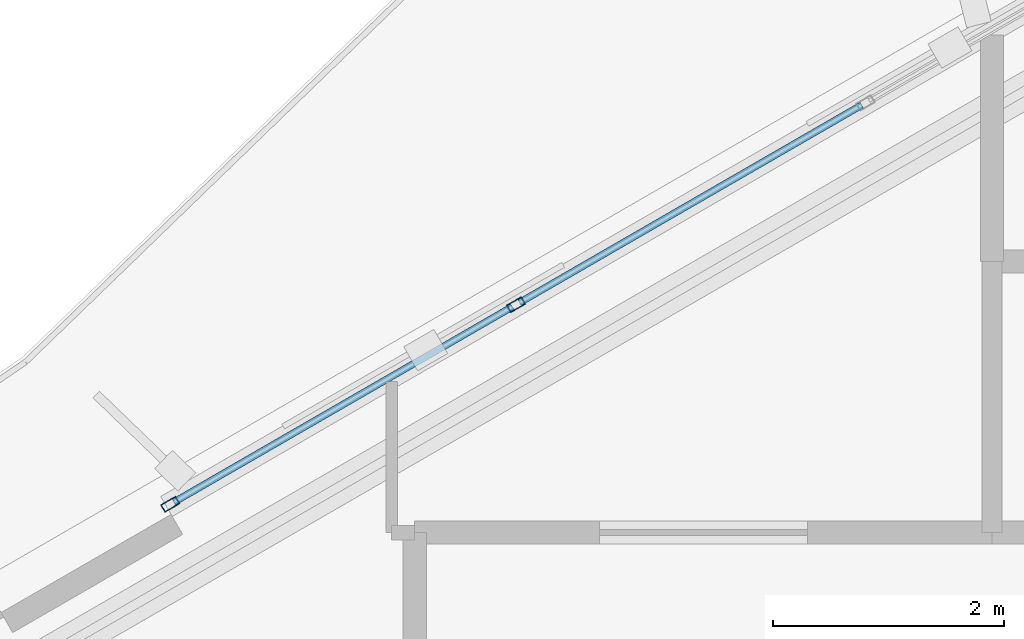
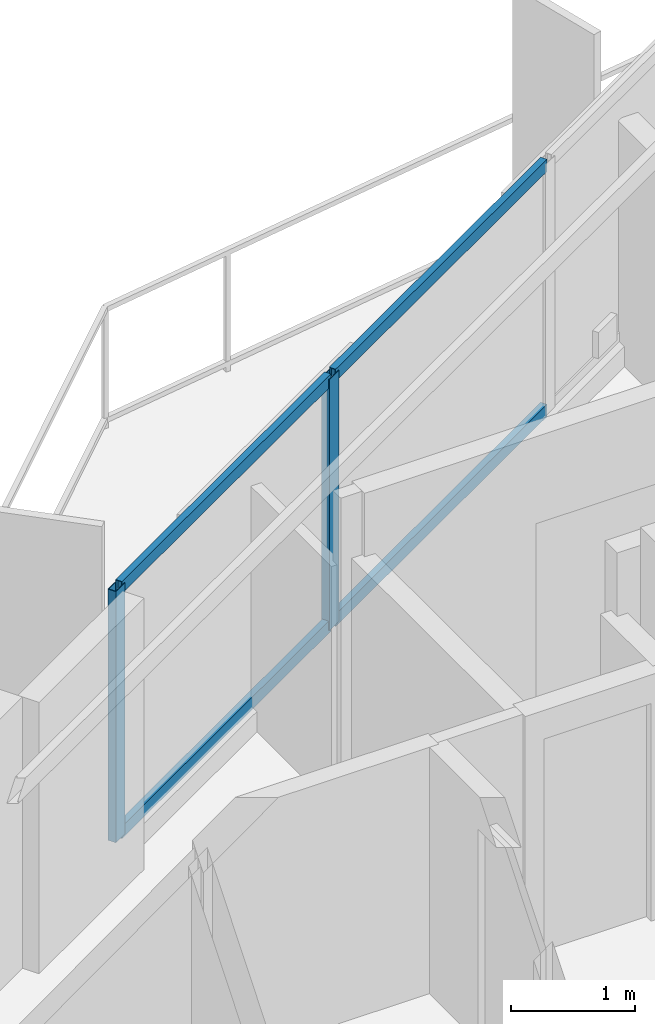
# One storey, part 5 of 19: 6 members, 1 element without a shape of its own.
"""IFC4 building model written with IfcOpenShell, lengths in metres."""

import ifcopenshell
import ifcopenshell.guid

model = None  # the IFC model being written
_history = None  # IfcOwnerHistory: only IFC2X3 demands one
_inside = {}  # id of a spatial element -> (the spatial element, [elements in it])
_under = {}  # id of a project, library or spatial element -> (it, [spatial elements below it])
_declared = {}  # id of a project -> (the project, [libraries it declares])
_typed = {}  # id of a type object -> (the type object, [elements of that type])
_made_of = {}  # id of a material, layer set ... -> (it, [elements and type objects made of it])


def new_model(schema):
    """Start an empty IFC model of exactly this schema.

    Asked for "IFC4X3", IfcOpenShell would pick the latest addendum, in which some entities
    have other attributes; the version numbers below select the first issue.
    IFC2X3 requires an IfcOwnerHistory on every rooted entity: one is made here for all.
    """
    global model, _history
    if schema == "IFC4X3":
        model = ifcopenshell.file(schema_version=(4, 3, 0, 0))
    else:
        model = ifcopenshell.file(schema=schema)
    _inside.clear()
    _under.clear()
    _declared.clear()
    _typed.clear()
    _made_of.clear()
    _history = None
    if model.schema == "IFC2X3":
        org = make("IfcOrganization", Name="unknown")
        user = make(
            "IfcPersonAndOrganization",
            ThePerson=make("IfcPerson", FamilyName="unknown"),
            TheOrganization=org,
        )
        app = make(
            "IfcApplication",
            ApplicationDeveloper=org,
            Version="unknown",
            ApplicationFullName="unknown",
            ApplicationIdentifier="unknown",
        )
        _history = make(
            "IfcOwnerHistory",
            OwningUser=user,
            OwningApplication=app,
            ChangeAction="ADDED",
            CreationDate=0,
        )
    return model


def make(cls, **values):
    """One entity of the class cls with the attributes given. An attribute that is None is left unset."""
    return model.create_entity(
        cls, **{name: value for name, value in values.items() if value is not None}
    )


def rooted(cls, **values):
    """An entity with a GlobalId (a new one), such as an element, a storey or a relation."""
    return make(cls, GlobalId=ifcopenshell.guid.new(), OwnerHistory=_history, **values)


def si_unit(unit_type, name, prefix=None):
    """IfcSIUnit, for example si_unit("LENGTHUNIT", "METRE", prefix="MILLI")."""
    return make("IfcSIUnit", UnitType=unit_type, Prefix=prefix, Name=name)


def assignment(units):
    """IfcUnitAssignment: the units of a project."""
    return None if units is None else make("IfcUnitAssignment", Units=units)


def point(xyz):
    """IfcCartesianPoint."""
    return None if xyz is None else make("IfcCartesianPoint", Coordinates=xyz)


def direction(xyz):
    """IfcDirection."""
    return None if xyz is None else make("IfcDirection", DirectionRatios=xyz)


def frame(location, z_axis=None, x_axis=None):
    """IfcAxis2Placement3D, a coordinate frame: its origin and axes. An axis left out is left unset."""
    return make(
        "IfcAxis2Placement3D",
        Location=point(location),
        Axis=direction(z_axis),
        RefDirection=direction(x_axis),
    )


def frame_2d(location, x_axis=None):
    """IfcAxis2Placement2D, a coordinate frame in the plane: its origin and x axis."""
    return make(
        "IfcAxis2Placement2D", Location=point(location), RefDirection=direction(x_axis)
    )


def origin():
    """The frame at (0, 0, 0) with its axes left unset."""
    return frame((0.0, 0.0, 0.0))


def origin_2d():
    """The frame at (0, 0) in the plane with its x axis left unset."""
    return frame_2d((0.0, 0.0))


def place(relative_to, where):
    """IfcLocalPlacement: puts the frame where relative to a parent placement (None: the world)."""
    return make(
        "IfcLocalPlacement", PlacementRelTo=relative_to, RelativePlacement=where
    )


def context(
    kind, dimensions, precision=None, world=None, true_north=None, identifier=None
):
    """IfcGeometricRepresentationContext, for example the 3D "Model" context."""
    return make(
        "IfcGeometricRepresentationContext",
        ContextIdentifier=identifier,
        ContextType=kind,
        CoordinateSpaceDimension=dimensions,
        Precision=precision,
        WorldCoordinateSystem=world,
        TrueNorth=true_north,
    )


def subcontext(parent, identifier, kind, view, scale=None):
    """IfcGeometricRepresentationSubContext, for example "Body" below "Model"."""
    return make(
        "IfcGeometricRepresentationSubContext",
        ContextIdentifier=identifier,
        ContextType=kind,
        ParentContext=parent,
        TargetScale=scale,
        TargetView=view,
    )


def project(units=None, contexts=None):
    """IfcProject with its units and contexts."""
    return rooted(
        "IfcProject",
        Name="project",
        RepresentationContexts=contexts,
        UnitsInContext=assignment(units),
    )


def spatial(cls, under=None, at=None, **own):
    """A site, building, storey or space (cls), placed at a placement, below another one or the project."""
    s = rooted(cls, ObjectPlacement=at, **own)
    if under is not None:
        _under.setdefault(under.id(), (under, []))[1].append(s)
    return s


def profile(cls, at=None, kind="AREA", **sizes):
    """A parametric profile (cls). Its sizes go by their IFC names, for example OverallWidth=200.0."""
    return make(cls, ProfileType=kind, Position=at, **sizes)


def hollow_rectangle(**sizes):
    """IfcRectangleHollowProfileDef."""
    return profile("IfcRectangleHollowProfileDef", **sizes)


def extrude(swept, where, along, depth):
    """IfcExtrudedAreaSolid: the profile swept, set in the frame where, extruded along a direction by depth."""
    return make(
        "IfcExtrudedAreaSolid",
        SweptArea=swept,
        Position=where,
        ExtrudedDirection=direction(along),
        Depth=depth,
    )


def shape(context_of_items, identifier, shape_type, items):
    """IfcShapeRepresentation: the items that make up one representation, for example the "Body"."""
    return make(
        "IfcShapeRepresentation",
        ContextOfItems=context_of_items,
        RepresentationIdentifier=identifier,
        RepresentationType=shape_type,
        Items=items,
    )


def material(Name=None, Category=None):
    """IfcMaterial."""
    return make("IfcMaterial", Name=Name, Category=Category)


def layer(
    of_material, thickness, ventilated=None, Name=None, Category=None, Priority=None
):
    """IfcMaterialLayer: one layer of a wall or slab, of a material (None: an air gap)."""
    return make(
        "IfcMaterialLayer",
        Material=of_material,
        LayerThickness=thickness,
        IsVentilated=ventilated,
        Name=Name,
        Category=Category,
        Priority=Priority,
    )


def layer_set(layers, Name=None):
    """IfcMaterialLayerSet."""
    return make("IfcMaterialLayerSet", MaterialLayers=layers, LayerSetName=Name)


def material_profile(
    of_material, cross_section, Name=None, Category=None, Priority=None
):
    """IfcMaterialProfile: a cross section and its material."""
    return make(
        "IfcMaterialProfile",
        Name=Name,
        Material=of_material,
        Profile=cross_section,
        Priority=Priority,
        Category=Category,
    )


def profile_set(profiles, Name=None, composite=None):
    """IfcMaterialProfileSet."""
    return make(
        "IfcMaterialProfileSet",
        Name=Name,
        MaterialProfiles=profiles,
        CompositeProfile=composite,
    )


def made_of(thing, what):
    """Note that an element or type object is made of a material, layer set ...; save() writes the relation."""
    if what is not None:
        _made_of.setdefault(what.id(), (what, []))[1].append(thing)
    return thing


def type_object(cls, material=None, **own):
    """A type object (cls), such as IfcWallType, which elements share."""
    return made_of(rooted(cls, **own), material)


def element(
    cls,
    number,
    at=None,
    inside=None,
    cuts=None,
    type_object=None,
    material=None,
    context=None,
    identifier="Body",
    shape_type=None,
    held_by="IfcProductDefinitionShape",
    body=None,
    shapes=None,
    **own,
):
    """One element of the class cls, such as IfcWall. Its Tag is "e" and its number.

    at: its placement. inside: the storey or other place that contains it. cuts: it is an
    opening in that element (IfcRelVoidsElement). A single representation is given by context,
    identifier, shape_type and body (its items); several are given by shapes. held_by: the class
    of the entity that holds the representations. save() writes the other relations.
    """
    e = rooted(cls, Tag="e%d" % number, ObjectPlacement=at, **own)
    if body is not None:
        shapes = [shape(context, identifier, shape_type, body)]
    if shapes is not None:
        e.Representation = make(held_by, Representations=shapes)
    if inside is not None:
        _inside.setdefault(inside.id(), (inside, []))[1].append(e)
    if cuts is not None:
        rooted(
            "IfcRelVoidsElement", RelatingBuildingElement=cuts, RelatedOpeningElement=e
        )
    if type_object is not None:
        _typed.setdefault(type_object.id(), (type_object, []))[1].append(e)
    return made_of(e, material)


def aggregate(whole, parts):
    """IfcRelAggregates: a whole, such as a stair, and the parts it consists of."""
    return rooted("IfcRelAggregates", RelatingObject=whole, RelatedObjects=parts)


def save(model, path):
    """Write the relations noted so far, then the file.

    IfcRelAggregates (storeys below a building ...), IfcRelContainedInSpatialStructure (elements
    in a storey), IfcRelDefinesByType, IfcRelAssociatesMaterial and IfcRelDeclares: one each for
    every whole, place, type object, material and project.
    """
    for whole, parts in _under.values():
        aggregate(whole, parts)
    for where, things in _inside.values():
        rooted(
            "IfcRelContainedInSpatialStructure",
            RelatedElements=things,
            RelatingStructure=where,
        )
    for kind, things in _typed.values():
        rooted("IfcRelDefinesByType", RelatedObjects=things, RelatingType=kind)
    for what, things in _made_of.values():
        rooted("IfcRelAssociatesMaterial", RelatedObjects=things, RelatingMaterial=what)
    for by, libraries in _declared.values():
        rooted("IfcRelDeclares", RelatingContext=by, RelatedDefinitions=libraries)
    model.write(path)


model = new_model("IFC4")

# Units and contexts
model_context = context("Model", 3, precision=1e-05, world=origin(), true_north=direction((0.0, 1.0)))
body_context = subcontext(model_context, "Body", "Model", "MODEL_VIEW")
ifc_project = project(units=[si_unit("LENGTHUNIT", "METRE"), si_unit("AREAUNIT", "SQUARE_METRE"), si_unit("VOLUMEUNIT", "CUBIC_METRE"), si_unit("PLANEANGLEUNIT", "RADIAN"), si_unit("MASSUNIT", "GRAM", prefix="KILO")], contexts=[model_context])

# Site, building, storey
site_placement = place(None, origin())
site = spatial("IfcSite", under=ifc_project, at=site_placement, CompositionType="ELEMENT")
building_placement = place(site_placement, origin())
building = spatial("IfcBuilding", under=site, at=building_placement, Name="Mersakhor Tower and Convention Hall", CompositionType="ELEMENT")
storey_placement = place(building_placement, frame((0.0, 0.0, 124.5)))
storey = spatial("IfcBuildingStorey", under=building, at=storey_placement, Name="L34", CompositionType="ELEMENT", Elevation=124.5)

# Curtain wall, members
ifc_material_1 = material(Name="Dark solar low-E aluminium curtain wall", Category="aluminium")
ifc_layer = layer(ifc_material_1, 0.169921875)
ifc_layer_set = layer_set([ifc_layer], Name="Dark solar low-E aluminium curtain wall")
curtain_wall_type = type_object("IfcCurtainWallType", Name="CW-SYS-02", PredefinedType="USERDEFINED", material=ifc_layer_set)
curtain_wall_placement = place(storey_placement, origin())
curtain_wall = element("IfcCurtainWall", 1, at=curtain_wall_placement, inside=storey, type_object=curtain_wall_type, Name="L34 Dark-Glass Curtain Wall F1-B2", ObjectType="CURTAIN WALL", PredefinedType="USERDEFINED")
ifc_material_2 = material(Name="Anodised aluminium EN AW-6063 T6", Category="aluminium")
ifc_material_profile_1 = material_profile(ifc_material_2, hollow_rectangle(XDim=0.074951171875, YDim=0.14990234375, WallThickness=0.00634765625, at=origin_2d()), Name="RHS 150x75x6.3")
ifc_profile_set_1 = profile_set([ifc_material_profile_1], Name="Anodised aluminium EN AW-6063 T6")
member_type_1 = type_object("IfcMemberType", Name="CWM-150x75", PredefinedType="MULLION", material=ifc_profile_set_1)
member_1_placement = place(storey_placement, frame((17.88232421875, 35.595458984375, 0.199951171875), z_axis=(0.0, 0.0, 1.0), x_axis=(-0.499990468363, 0.866030906807, 0.0)))
member_1 = element("IfcMember", 2, at=member_1_placement, type_object=member_type_1, Name="CW-02 mullion 1", PredefinedType="MULLION", context=body_context, shape_type="SweptSolid", body=[
    extrude(hollow_rectangle(XDim=0.074951171875, YDim=0.14990234375, WallThickness=0.00634765625, at=origin_2d()), origin(), (0.0, 0.0, 1.0), 2.47998046875),
])
member_2_placement = place(storey_placement, frame((20.876953125, 37.32421875, 0.199951171875), z_axis=(0.0, 0.0, 1.0), x_axis=(-0.499990468363, 0.866030906807, 0.0)))
member_2 = element("IfcMember", 3, at=member_2_placement, type_object=member_type_1, Name="CW-02 mullion 2", PredefinedType="MULLION", context=body_context, shape_type="SweptSolid", body=[
    extrude(hollow_rectangle(XDim=0.074951171875, YDim=0.14990234375, WallThickness=0.00634765625, at=origin_2d()), origin(), (0.0, 0.0, 1.0), 2.47998046875),
])
ifc_material_3 = material(Name="Anodised aluminium EN AW-6063 T6", Category="aluminium")
ifc_material_profile_2 = material_profile(ifc_material_3, hollow_rectangle(XDim=0.06005859375, YDim=0.1201171875, WallThickness=0.0048828125, at=origin_2d()), Name="RHS 120x60x5")
ifc_profile_set_2 = profile_set([ifc_material_profile_2], Name="Anodised aluminium EN AW-6063 T6")
member_type_2 = type_object("IfcMemberType", Name="CWT-120x60", PredefinedType="USERDEFINED", material=ifc_profile_set_2)
member_3_placement = place(storey_placement, frame((17.914794921875, 35.6142578125, 0.22998046875), z_axis=(0.866031754707, 0.499988999718, 0.0), x_axis=(-0.499988999718, 0.866031754707, 0.0)))
member_3 = element("IfcMember", 4, at=member_3_placement, type_object=member_type_2, Name="CW-02 transom 1.1", ObjectType="TRANSOM", PredefinedType="USERDEFINED", context=body_context, shape_type="SweptSolid", body=[
    extrude(hollow_rectangle(XDim=0.06005859375, YDim=0.1201171875, WallThickness=0.0048828125, at=origin_2d()), origin(), (0.0, 0.0, 1.0), 3.3828125),
])
member_4_placement = place(storey_placement, frame((17.914794921875, 35.6142578125, 2.64990234375), z_axis=(0.866031754707, 0.499988999718, 0.0), x_axis=(-0.499988999718, 0.866031754707, 0.0)))
member_4 = element("IfcMember", 5, at=member_4_placement, type_object=member_type_2, Name="CW-02 transom 1.2", ObjectType="TRANSOM", PredefinedType="USERDEFINED", context=body_context, shape_type="SweptSolid", body=[
    extrude(hollow_rectangle(XDim=0.06005859375, YDim=0.1201171875, WallThickness=0.0048828125, at=origin_2d()), origin(), (0.0, 0.0, 1.0), 3.3828125),
])
member_5_placement = place(storey_placement, frame((20.909423828125, 37.343017578125, 0.22998046875), z_axis=(0.866007273829, 0.50003140069, 0.0), x_axis=(-0.50003140069, 0.866007273829, 0.0)))
member_5 = element("IfcMember", 6, at=member_5_placement, type_object=member_type_2, Name="CW-02 transom 2.1", ObjectType="TRANSOM", PredefinedType="USERDEFINED", context=body_context, shape_type="SweptSolid", body=[
    extrude(hollow_rectangle(XDim=0.06005859375, YDim=0.1201171875, WallThickness=0.0048828125, at=origin_2d()), origin(), (0.0, 0.0, 1.0), 3.420166015625),
])
member_6_placement = place(storey_placement, frame((20.909423828125, 37.343017578125, 2.64990234375), z_axis=(0.866007273829, 0.50003140069, 0.0), x_axis=(-0.50003140069, 0.866007273829, 0.0)))
member_6 = element("IfcMember", 7, at=member_6_placement, type_object=member_type_2, Name="CW-02 transom 2.2", ObjectType="TRANSOM", PredefinedType="USERDEFINED", context=body_context, shape_type="SweptSolid", body=[
    extrude(hollow_rectangle(XDim=0.06005859375, YDim=0.1201171875, WallThickness=0.0048828125, at=origin_2d()), origin(), (0.0, 0.0, 1.0), 3.420166015625),
])
aggregate(curtain_wall, [member_1, member_2, member_3, member_4, member_5, member_6])

save(model, "model.ifc")
